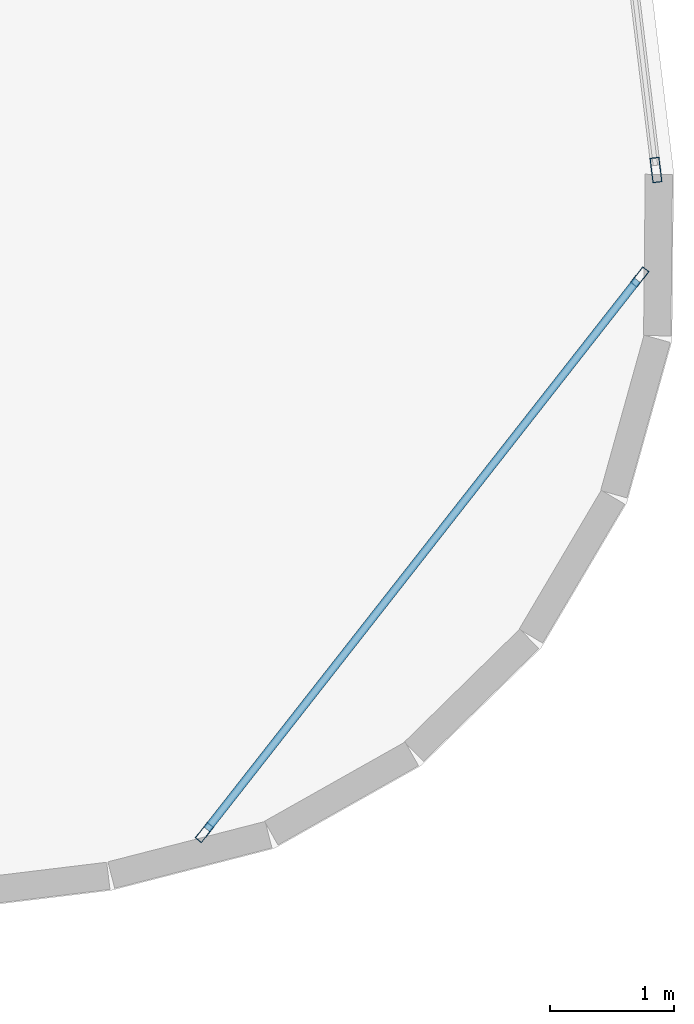
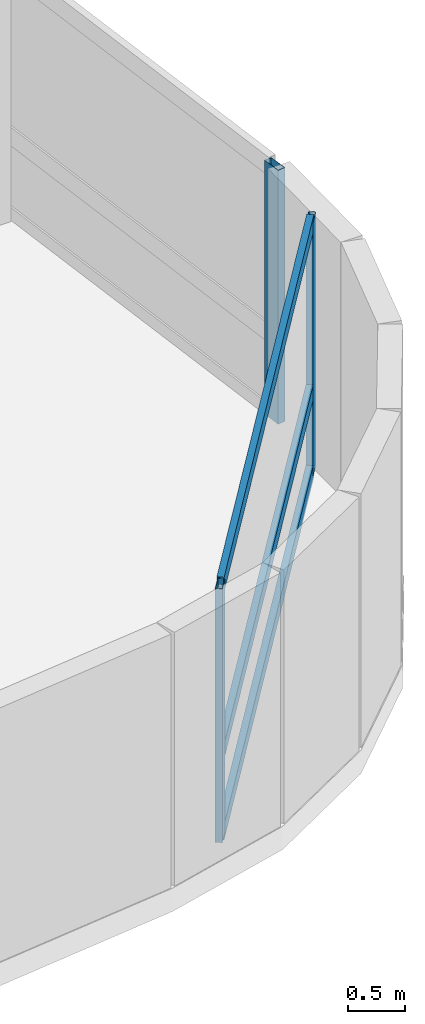
# One storey, part 10 of 24: 6 members, 2 elements without a shape of their own.
"""IFC4 building model written with IfcOpenShell, lengths in metres."""

from ifc_helpers import new_model, si_unit, direction, frame, origin, origin_2d, place, context, subcontext, project, spatial, hollow_rectangle, extrude, material, layer, layer_set, material_profile, profile_set, type_object, element, aggregate, save


model = new_model("IFC4")

# Units and contexts
model_context = context("Model", 3, precision=1e-05, world=origin(), true_north=direction((0.0, 1.0)))
body_context = subcontext(model_context, "Body", "Model", "MODEL_VIEW")
ifc_project = project(units=[si_unit("LENGTHUNIT", "METRE"), si_unit("AREAUNIT", "SQUARE_METRE"), si_unit("VOLUMEUNIT", "CUBIC_METRE"), si_unit("PLANEANGLEUNIT", "RADIAN"), si_unit("MASSUNIT", "GRAM", prefix="KILO")], contexts=[model_context])

# Site, building, storey
site_placement = place(None, origin())
site = spatial("IfcSite", under=ifc_project, at=site_placement, CompositionType="ELEMENT")
building_placement = place(site_placement, origin())
building = spatial("IfcBuilding", under=site, at=building_placement, Name="Varnelok Gate Tower", CompositionType="ELEMENT")
storey_placement = place(building_placement, frame((0.0, 0.0, 167.199951171875)))
storey = spatial("IfcBuildingStorey", under=building, at=storey_placement, Name="L42", CompositionType="ELEMENT", Elevation=167.199951171875)

# Curtain wall, members
ifc_material = material(Name="Anodized Aluminum Alloy 6063-T6", Category="aluminium")
ifc_layer_1 = layer(ifc_material, 0.179931640625)
ifc_layer_set_1 = layer_set([ifc_layer_1], Name="Anodized Aluminum Alloy 6063-T6")
curtain_wall_type_1 = type_object("IfcCurtainWallType", Name="CW5-WINDCORNER-GLAZ", PredefinedType="USERDEFINED", material=ifc_layer_set_1)
curtain_wall_1_placement = place(storey_placement, origin())
curtain_wall_1 = element("IfcCurtainWall", 1, at=curtain_wall_1_placement, inside=storey, type_object=curtain_wall_type_1, Name="L42 Wind-Shaped Corner Curtain Wall SE", ObjectType="STRUCTURAL GLAZING", PredefinedType="USERDEFINED")
ifc_material_profile_1 = material_profile(ifc_material, hollow_rectangle(XDim=0.06494140625, YDim=0.159912109375, WallThickness=0.00390625, at=origin_2d()), Name="ALU160X65X4")
ifc_profile_set_1 = profile_set([ifc_material_profile_1], Name="Anodized Aluminum Alloy 6063-T6")
member_type_1 = type_object("IfcMemberType", Name="CW-MULL-160", PredefinedType="MULLION", material=ifc_profile_set_1)
member_1_placement = place(storey_placement, frame((72.468994140625, 7.6484375, 0.0), z_axis=(0.0, 0.0, 1.0), x_axis=(-0.787064122397, 0.616871191769, 0.0)))
member_1 = element("IfcMember", 2, at=member_1_placement, type_object=member_type_1, Name="CW5 mullion 1", PredefinedType="MULLION", context=body_context, shape_type="SweptSolid", body=[
    extrude(hollow_rectangle(XDim=0.06494140625, YDim=0.159912109375, WallThickness=0.00390625, at=origin_2d()), origin(), (0.0, 0.0, 1.0), 2.72998046875),
])
member_2_placement = place(storey_placement, frame((75.9794921875, 12.12744140625, 0.0), z_axis=(0.0, 0.0, 1.0), x_axis=(-0.787064122397, 0.616871191769, 0.0)))
member_2 = element("IfcMember", 3, at=member_2_placement, type_object=member_type_1, Name="CW5 mullion 2", PredefinedType="MULLION", context=body_context, shape_type="SweptSolid", body=[
    extrude(hollow_rectangle(XDim=0.06494140625, YDim=0.159912109375, WallThickness=0.00390625, at=origin_2d()), origin(), (0.0, 0.0, 1.0), 2.72998046875),
])

# Curtain wall, member
ifc_layer_2 = layer(ifc_material, 0.179931640625)
ifc_layer_set_2 = layer_set([ifc_layer_2], Name="Anodized Aluminum Alloy 6063-T6")
curtain_wall_type_2 = type_object("IfcCurtainWallType", Name="CW4-RESIDENCE-VISION", PredefinedType="USERDEFINED", material=ifc_layer_set_2)
curtain_wall_2_placement = place(storey_placement, origin())
curtain_wall_2 = element("IfcCurtainWall", 4, at=curtain_wall_2_placement, inside=storey, type_object=curtain_wall_type_2, Name="L42 East End Vision Curtain Wall", ObjectType="UNITISED CURTAIN WALL", PredefinedType="USERDEFINED")
ifc_material_profile_2 = material_profile(ifc_material, hollow_rectangle(XDim=0.074951171875, YDim=0.199951171875, WallThickness=0.00390625, at=origin_2d()), Name="ALU200X75X4")
ifc_profile_set_2 = profile_set([ifc_material_profile_2], Name="Anodized Aluminum Alloy 6063-T6")
member_type_2 = type_object("IfcMemberType", Name="CW-MULL-200", PredefinedType="MULLION", material=ifc_profile_set_2)
member_3_placement = place(storey_placement, frame((76.109619140625, 12.989990234375, 0.0), z_axis=(0.0, 0.0, 1.0), x_axis=(0.992732188751, 0.120344511371, 0.0)))
member_3 = element("IfcMember", 5, at=member_3_placement, type_object=member_type_2, Name="CW4 mullion 6", PredefinedType="MULLION", context=body_context, shape_type="SweptSolid", body=[
    extrude(hollow_rectangle(XDim=0.074951171875, YDim=0.199951171875, WallThickness=0.00390625, at=origin_2d()), origin(), (0.0, 0.0, 1.0), 2.72998046875),
])
aggregate(curtain_wall_2, [member_3])

# Member
ifc_material_profile_3 = material_profile(ifc_material, hollow_rectangle(XDim=0.06494140625, YDim=0.159912109375, WallThickness=0.00390625, at=origin_2d()), Name="ALU160X65X4")
ifc_profile_set_3 = profile_set([ifc_material_profile_3], Name="Anodized Aluminum Alloy 6063-T6")
member_type_3 = type_object("IfcMemberType", Name="CW-TRAN-160", PredefinedType="USERDEFINED", material=ifc_profile_set_3)
member_4_placement = place(storey_placement, frame((72.489013671875, 7.674072265625, 0.032470703125), z_axis=(0.616868585551, 0.787066165046, 0.0), x_axis=(-0.787066165046, 0.616868585551, 0.0)))
member_4 = element("IfcMember", 6, at=member_4_placement, type_object=member_type_3, Name="CW5 transom 1.1", ObjectType="TRANSOM", PredefinedType="USERDEFINED", context=body_context, shape_type="SweptSolid", body=[
    extrude(hollow_rectangle(XDim=0.06494140625, YDim=0.159912109375, WallThickness=0.00390625, at=origin_2d()), origin(), (0.0, 0.0, 1.0), 5.6259765625),
])

member_5_placement = place(storey_placement, frame((72.489013671875, 7.674072265625, 0.900146484375), z_axis=(0.616868585551, 0.787066165046, 0.0), x_axis=(-0.787066165046, 0.616868585551, 0.0)))
member_5 = element("IfcMember", 7, at=member_5_placement, type_object=member_type_3, Name="CW5 transom 1.2", ObjectType="TRANSOM", PredefinedType="USERDEFINED", context=body_context, shape_type="SweptSolid", body=[
    extrude(hollow_rectangle(XDim=0.06494140625, YDim=0.159912109375, WallThickness=0.00390625, at=origin_2d()), origin(), (0.0, 0.0, 1.0), 5.6259765625),
])

member_6_placement = place(storey_placement, frame((72.489013671875, 7.674072265625, 2.697509765625), z_axis=(0.616868585551, 0.787066165046, 0.0), x_axis=(-0.787066165046, 0.616868585551, 0.0)))
member_6 = element("IfcMember", 8, at=member_6_placement, type_object=member_type_3, Name="CW5 transom 1.3", ObjectType="TRANSOM", PredefinedType="USERDEFINED", context=body_context, shape_type="SweptSolid", body=[
    extrude(hollow_rectangle(XDim=0.06494140625, YDim=0.159912109375, WallThickness=0.00390625, at=origin_2d()), origin(), (0.0, 0.0, 1.0), 5.6259765625),
])

aggregate(curtain_wall_1, [member_1, member_2, member_4, member_5, member_6])

save(model, "model.ifc")
